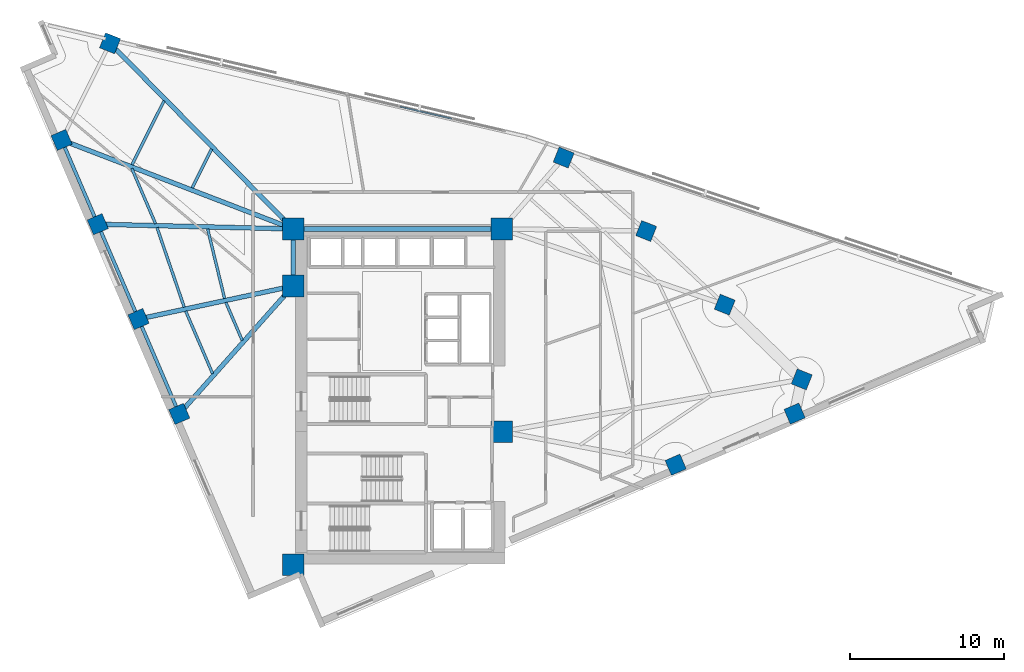
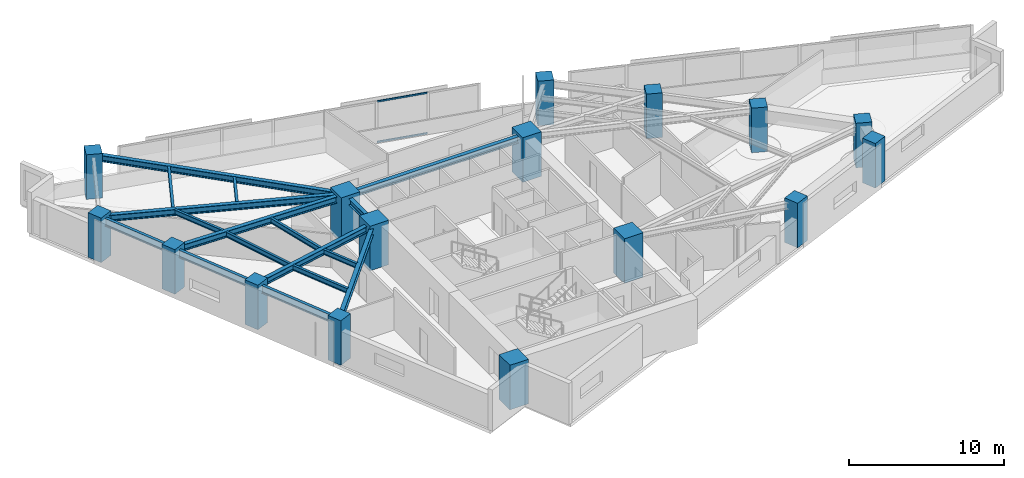
# One storey, part 1 of 14: 17 beams, 16 columns, 2 members, 1 element without a shape of its own.
"""IFC4 building model written with IfcOpenShell, lengths in metres."""

from ifc_helpers import new_model, si_unit, direction, frame, origin, origin_2d, place, context, subcontext, project, spatial, rectangle, hollow_rectangle, i_section, extrude, material, material_profile, profile_set, type_object, element, aggregate, save


model = new_model("IFC4")

# Units and contexts
model_context = context("Model", 3, precision=1e-05, world=origin(), true_north=direction((0.0, 1.0)))
body_context = subcontext(model_context, "Body", "Model", "MODEL_VIEW")
ifc_project = project(units=[si_unit("LENGTHUNIT", "METRE"), si_unit("AREAUNIT", "SQUARE_METRE"), si_unit("VOLUMEUNIT", "CUBIC_METRE"), si_unit("PLANEANGLEUNIT", "RADIAN"), si_unit("MASSUNIT", "GRAM", prefix="KILO")], contexts=[model_context])

# Site, building, storey
site_placement = place(None, origin())
site = spatial("IfcSite", under=ifc_project, at=site_placement, CompositionType="ELEMENT")
building_placement = place(site_placement, origin())
building = spatial("IfcBuilding", under=site, at=building_placement, Name="Narakoshi Arena Tower", CompositionType="ELEMENT")
storey_placement = place(building_placement, frame((0.0, 0.0, 182.6201171875)))
storey = spatial("IfcBuildingStorey", under=building, at=storey_placement, Name="L49", CompositionType="ELEMENT", Elevation=182.6201171875)

# Columns
ifc_material_1 = material(Name="Concrete C50/60", Category="concrete")
ifc_material_profile_1 = material_profile(ifc_material_1, rectangle(XDim=1.050048828125, YDim=1.050048828125, at=origin_2d()), Name="RC1050x1050")
ifc_profile_set_1 = profile_set([ifc_material_profile_1], Name="Concrete C50/60")
column_type_1 = type_object("IfcColumnType", Name="COL-RC1050", PredefinedType="COLUMN", material=ifc_profile_set_1)
for number, where, z_axis, x_axis, name in (
    (1, (96.830078125, 41.2001953125, 0.0), (0.0, 0.0, 1.0), (0.918791210149, 0.394743856384, 0.0), "L49 Tower Perimeter Column TC02"),
    (2, (104.54931640625, 44.5166015625, 0.0), (0.0, 0.0, 1.0), (0.918791210149, 0.394743856384, 0.0), "L49 Tower Perimeter Column TC03"),
    (3, (105.010009765625, 46.73876953125, 0.0), (0.0, 0.0, 1.0), (0.37055743751, 0.928809552872, 0.0), "L49 Tower Perimeter Column TC05"),
    (4, (100.012939453125, 51.58544921875, 0.0), (0.0, 0.0, 1.0), (0.37055743751, 0.928809552872, 0.0), "L49 Tower Perimeter Column TC06"),
    (5, (94.914794921875, 56.36669921875, 0.0), (0.0, 0.0, 1.0), (0.37055743751, 0.928809552872, 0.0), "L49 Tower Perimeter Column TC07"),
    (6, (89.5615234375, 61.134765625, 0.0), (0.0, 0.0, 1.0), (0.37055743751, 0.928809552872, 0.0), "L49 Tower Perimeter Column TC08"),
    (7, (60.12158203125, 68.55126953125, 0.0), (0.0, 0.0, 1.0), (0.37055743751, 0.928809552872, 0.0), "L49 Tower Perimeter Column TC10"),
    (8, (56.9755859375, 62.278564453125, 0.0), (0.0, 0.0, 1.0), (-0.394743856384, 0.918791210149, 0.0), "L49 Tower Perimeter Column TC13"),
    (9, (59.326171875, 56.807373046875, 0.0), (0.0, 0.0, 1.0), (-0.394743856384, 0.918791210149, 0.0), "L49 Tower Perimeter Column TC14"),
    (10, (61.970458984375, 50.652587890625, 0.0), (0.0, 0.0, 1.0), (-0.394743856384, 0.918791210149, 0.0), "L49 Tower Perimeter Column TC15"),
    (11, (64.61474609375, 44.49755859375, 0.0), (0.0, 0.0, 1.0), (-0.394743856384, 0.918791210149, 0.0), "L49 Tower Perimeter Column TC16"),
):
    element("IfcColumn", number, at=place(storey_placement, frame(where, z_axis=z_axis, x_axis=x_axis)), inside=storey, type_object=column_type_1, Name=name, PredefinedType="COLUMN", context=body_context, shape_type="SweptSolid", body=[
        extrude(rectangle(XDim=1.050048828125, YDim=1.050048828125, at=origin_2d()), origin(), (0.0, 0.0, 1.0), 3.519775390625),
    ])
ifc_material_2 = material(Name="Concrete C60/75", Category="concrete")
ifc_material_profile_2 = material_profile(ifc_material_2, rectangle(XDim=1.39990234375, YDim=1.39990234375, at=origin_2d()), Name="RC1400x1400")
ifc_profile_set_2 = profile_set([ifc_material_profile_2], Name="Concrete C60/75")
column_type_2 = type_object("IfcColumnType", Name="COL-RC1400", PredefinedType="COLUMN", material=ifc_profile_set_2)
for number, where, z_axis, x_axis, name in (
    (12, (72.0, 34.699951171875, 0.0), (0.0, 0.0, 1.0), (1.0, 0.0, 0.0), "L49 Core Structural Column CC1"),
    (13, (85.550048828125, 43.35009765625, 0.0), (0.0, 0.0, 1.0), (1.0, 0.0, 0.0), "L49 Core Structural Column CC3"),
    (14, (72.0, 52.800048828125, 0.0), (0.0, 0.0, 1.0), (1.0, 0.0, 0.0), "L49 Core Structural Column CC4"),
    (15, (72.0, 56.5, 0.0), (0.0, 0.0, 1.0), (1.0, 0.0, 0.0), "L49 Core Structural Column CC5"),
    (16, (85.550048828125, 56.5, 0.0), (0.0, 0.0, 1.0), (1.0, 0.0, 0.0), "L49 Core Structural Column CC6"),
):
    element("IfcColumn", number, at=place(storey_placement, frame(where, z_axis=z_axis, x_axis=x_axis)), inside=storey, type_object=column_type_2, Name=name, PredefinedType="COLUMN", context=body_context, shape_type="SweptSolid", body=[
        extrude(rectangle(XDim=1.39990234375, YDim=1.39990234375, at=origin_2d()), origin(), (0.0, 0.0, 1.0), 3.519775390625),
    ])

# Beams
ifc_material_3 = material(Name="Structural steel S355J2", Category="steel")
ifc_material_profile_3 = material_profile(ifc_material_3, i_section(OverallWidth=0.219970703125, OverallDepth=0.60009765625, WebThickness=0.011962890625, FlangeThickness=0.01904296875, FilletRadius=0.02392578125, at=origin_2d()), Name="IPE600")
ifc_profile_set_3 = profile_set([ifc_material_profile_3], Name="Structural steel S355J2")
beam_type_1 = type_object("IfcBeamType", Name="BM-EDGE-600", PredefinedType="BEAM", material=ifc_profile_set_3)
beam_1_placement = place(storey_placement, frame((56.9755859375, 62.278564453125, 2.9599609375), z_axis=(0.394740539552, -0.918792635165, 0.0), x_axis=(0.918792635165, 0.394740539552, 0.0)))
element("IfcBeam", 17, at=beam_1_placement, inside=storey, type_object=beam_type_1, Name="L49 Perimeter Edge Girder 08", PredefinedType="BEAM", context=body_context, shape_type="SweptSolid", body=[
    extrude(i_section(OverallWidth=0.219970703125, OverallDepth=0.60009765625, WebThickness=0.011962890625, FlangeThickness=0.01904296875, FilletRadius=0.02392578125, at=origin_2d()), origin(), (0.0, 0.0, 1.0), 5.954833984375),
])
beam_2_placement = place(storey_placement, frame((59.326171875, 56.807373046875, 2.9599609375), z_axis=(0.394741679056, -0.9187921456, 0.0), x_axis=(0.9187921456, 0.394741679056, 0.0)))
element("IfcBeam", 18, at=beam_2_placement, inside=storey, type_object=beam_type_1, Name="L49 Perimeter Edge Girder 09", PredefinedType="BEAM", context=body_context, shape_type="SweptSolid", body=[
    extrude(i_section(OverallWidth=0.219970703125, OverallDepth=0.60009765625, WebThickness=0.011962890625, FlangeThickness=0.01904296875, FilletRadius=0.02392578125, at=origin_2d()), origin(), (0.0, 0.0, 1.0), 6.69873046875),
])
beam_3_placement = place(storey_placement, frame((61.970458984375, 50.652587890625, 2.9599609375), z_axis=(0.394728461185, -0.918797824296, 0.0), x_axis=(0.918797824296, 0.394728461185, 0.0)))
element("IfcBeam", 19, at=beam_3_placement, inside=storey, type_object=beam_type_1, Name="L49 Perimeter Edge Girder 10", PredefinedType="BEAM", context=body_context, shape_type="SweptSolid", body=[
    extrude(i_section(OverallWidth=0.219970703125, OverallDepth=0.60009765625, WebThickness=0.011962890625, FlangeThickness=0.01904296875, FilletRadius=0.02392578125, at=origin_2d()), origin(), (0.0, 0.0, 1.0), 6.698974609375),
])
ifc_material_profile_4 = material_profile(ifc_material_3, i_section(OverallWidth=0.300048828125, OverallDepth=0.5, WebThickness=0.014404296875, FlangeThickness=0.028076171875, FilletRadius=0.027099609375, at=origin_2d()), Name="HE500B")
ifc_profile_set_4 = profile_set([ifc_material_profile_4], Name="Structural steel S355J2")
beam_type_2 = type_object("IfcBeamType", Name="BM-PRI-500", PredefinedType="BEAM", material=ifc_profile_set_4)
beam_4_placement = place(storey_placement, frame((72.0, 56.5, 3.009765625), z_axis=(-0.701980816252, 0.71219585341, 0.0), x_axis=(-0.71219585341, -0.701980816252, 0.0)))
element("IfcBeam", 20, at=beam_4_placement, inside=storey, type_object=beam_type_2, Name="L49 Radial Primary Floor Girder 07", PredefinedType="BEAM", context=body_context, shape_type="SweptSolid", body=[
    extrude(i_section(OverallWidth=0.300048828125, OverallDepth=0.5, WebThickness=0.014404296875, FlangeThickness=0.028076171875, FilletRadius=0.027099609375, at=origin_2d()), origin(), (0.0, 0.0, 1.0), 16.92138671875),
])
beam_5_placement = place(storey_placement, frame((72.0, 56.5, 3.009765625), z_axis=(-0.933346778866, 0.35897603037, 0.0), x_axis=(-0.35897603037, -0.933346778866, 0.0)))
element("IfcBeam", 21, at=beam_5_placement, inside=storey, type_object=beam_type_2, Name="L49 Radial Primary Floor Girder 08", PredefinedType="BEAM", context=body_context, shape_type="SweptSolid", body=[
    extrude(i_section(OverallWidth=0.300048828125, OverallDepth=0.5, WebThickness=0.014404296875, FlangeThickness=0.028076171875, FilletRadius=0.027099609375, at=origin_2d()), origin(), (0.0, 0.0, 1.0), 16.097412109375),
])
beam_6_placement = place(storey_placement, frame((72.0, 56.5, 3.009765625), z_axis=(-0.999706035824, 0.024245451901, 0.0), x_axis=(-0.024245451901, -0.999706035824, 0.0)))
element("IfcBeam", 22, at=beam_6_placement, inside=storey, type_object=beam_type_2, Name="L49 Radial Primary Floor Girder 09", PredefinedType="BEAM", context=body_context, shape_type="SweptSolid", body=[
    extrude(i_section(OverallWidth=0.300048828125, OverallDepth=0.5, WebThickness=0.014404296875, FlangeThickness=0.028076171875, FilletRadius=0.027099609375, at=origin_2d()), origin(), (0.0, 0.0, 1.0), 12.677490234375),
])
beam_7_placement = place(storey_placement, frame((72.0, 52.800048828125, 3.009765625), z_axis=(-0.977836885657, -0.209368156721, 0.0), x_axis=(0.209368156721, -0.977836885657, 0.0)))
element("IfcBeam", 23, at=beam_7_placement, inside=storey, type_object=beam_type_2, Name="L49 Radial Primary Floor Girder 10", PredefinedType="BEAM", context=body_context, shape_type="SweptSolid", body=[
    extrude(i_section(OverallWidth=0.300048828125, OverallDepth=0.5, WebThickness=0.014404296875, FlangeThickness=0.028076171875, FilletRadius=0.027099609375, at=origin_2d()), origin(), (0.0, 0.0, 1.0), 10.2568359375),
])
beam_8_placement = place(storey_placement, frame((72.0, 52.800048828125, 3.009765625), z_axis=(-0.664628360587, -0.747174104412, 0.0), x_axis=(0.747174104412, -0.664628360587, 0.0)))
element("IfcBeam", 24, at=beam_8_placement, inside=storey, type_object=beam_type_2, Name="L49 Radial Primary Floor Girder 11", PredefinedType="BEAM", context=body_context, shape_type="SweptSolid", body=[
    extrude(i_section(OverallWidth=0.300048828125, OverallDepth=0.5, WebThickness=0.014404296875, FlangeThickness=0.028076171875, FilletRadius=0.027099609375, at=origin_2d()), origin(), (0.0, 0.0, 1.0), 11.11181640625),
])
beam_9_placement = place(storey_placement, frame((72.0, 52.800048828125, 3.009765625), z_axis=(0.0, 1.0, 0.0), x_axis=(-1.0, 0.0, 0.0)))
element("IfcBeam", 25, at=beam_9_placement, inside=storey, type_object=beam_type_2, Name="L49 Core Perimeter Frame Beam CC4-CC5", PredefinedType="BEAM", context=body_context, shape_type="SweptSolid", body=[
    extrude(i_section(OverallWidth=0.300048828125, OverallDepth=0.5, WebThickness=0.014404296875, FlangeThickness=0.028076171875, FilletRadius=0.027099609375, at=origin_2d()), origin(), (0.0, 0.0, 1.0), 3.699951171875),
])
beam_10_placement = place(storey_placement, frame((72.0, 56.5, 3.009765625), z_axis=(1.0, 0.0, 0.0), x_axis=(0.0, 1.0, 0.0)))
element("IfcBeam", 26, at=beam_10_placement, inside=storey, type_object=beam_type_2, Name="L49 Core Perimeter Frame Beam CC5-CC6", PredefinedType="BEAM", context=body_context, shape_type="SweptSolid", body=[
    extrude(i_section(OverallWidth=0.300048828125, OverallDepth=0.5, WebThickness=0.014404296875, FlangeThickness=0.028076171875, FilletRadius=0.027099609375, at=origin_2d()), origin(), (0.0, 0.0, 1.0), 13.550048828125),
])
ifc_material_profile_5 = material_profile(ifc_material_3, i_section(OverallWidth=0.179931640625, OverallDepth=0.39990234375, WebThickness=0.008544921875, FlangeThickness=0.013427734375, FilletRadius=0.02099609375, at=origin_2d()), Name="IPE400")
ifc_profile_set_5 = profile_set([ifc_material_profile_5], Name="Structural steel S355J2")
beam_type_3 = type_object("IfcBeamType", Name="BM-SEC-400", PredefinedType="JOIST", material=ifc_profile_set_5)
beam_11_placement = place(storey_placement, frame((66.712890625, 61.681884765625, 3.059814453125), z_axis=(-0.4482876383, -0.893889363035, 0.0), x_axis=(0.893889363035, -0.4482876383, 0.0)))
element("IfcBeam", 27, at=beam_11_placement, inside=storey, type_object=beam_type_3, Name="L49 Composite Secondary Floor Joist 09", PredefinedType="JOIST", context=body_context, shape_type="SweptSolid", body=[
    extrude(i_section(OverallWidth=0.179931640625, OverallDepth=0.39990234375, WebThickness=0.008544921875, FlangeThickness=0.013427734375, FilletRadius=0.02099609375, at=origin_2d()), origin(), (0.0, 0.0, 1.0), 2.81787109375),
])
beam_12_placement = place(storey_placement, frame((63.624755859375, 64.815185546875, 3.059814453125), z_axis=(-0.448328152094, -0.893869044122, 0.0), x_axis=(0.893869044122, -0.448328152094, 0.0)))
element("IfcBeam", 28, at=beam_12_placement, inside=storey, type_object=beam_type_3, Name="L49 Composite Secondary Floor Joist 10", PredefinedType="JOIST", context=body_context, shape_type="SweptSolid", body=[
    extrude(i_section(OverallWidth=0.179931640625, OverallDepth=0.39990234375, WebThickness=0.008544921875, FlangeThickness=0.013427734375, FilletRadius=0.02099609375, at=origin_2d()), origin(), (0.0, 0.0, 1.0), 4.642333984375),
])
beam_13_placement = place(storey_placement, frame((61.5361328125, 60.4208984375, 3.059814453125), z_axis=(0.394735448543, -0.918794822397, 0.0), x_axis=(0.918794822397, 0.394735448543, 0.0)))
element("IfcBeam", 29, at=beam_13_placement, inside=storey, type_object=beam_type_3, Name="L49 Composite Secondary Floor Joist 11", PredefinedType="JOIST", context=body_context, shape_type="SweptSolid", body=[
    extrude(i_section(OverallWidth=0.179931640625, OverallDepth=0.39990234375, WebThickness=0.008544921875, FlangeThickness=0.013427734375, FilletRadius=0.02099609375, at=origin_2d()), origin(), (0.0, 0.0, 1.0), 3.8984375),
])
beam_14_placement = place(storey_placement, frame((66.455322265625, 56.504150390625, 3.059814453125), z_axis=(0.236539147599, -0.971621959228, 0.0), x_axis=(0.971621959228, 0.236539147599, 0.0)))
element("IfcBeam", 30, at=beam_14_placement, inside=storey, type_object=beam_type_3, Name="L49 Composite Secondary Floor Joist 12", PredefinedType="JOIST", context=body_context, shape_type="SweptSolid", body=[
    extrude(i_section(OverallWidth=0.179931640625, OverallDepth=0.39990234375, WebThickness=0.008544921875, FlangeThickness=0.013427734375, FilletRadius=0.02099609375, at=origin_2d()), origin(), (0.0, 0.0, 1.0), 4.649658203125),
])
beam_15_placement = place(storey_placement, frame((63.171875, 56.58740234375, 3.059814453125), z_axis=(0.323307083537, -0.946294103191, 0.0), x_axis=(0.946294103191, 0.323307083537, 0.0)))
element("IfcBeam", 31, at=beam_15_placement, inside=storey, type_object=beam_type_3, Name="L49 Composite Secondary Floor Joist 13", PredefinedType="JOIST", context=body_context, shape_type="SweptSolid", body=[
    extrude(i_section(OverallWidth=0.179931640625, OverallDepth=0.39990234375, WebThickness=0.008544921875, FlangeThickness=0.013427734375, FilletRadius=0.02099609375, at=origin_2d()), origin(), (0.0, 0.0, 1.0), 5.455810546875),
])
beam_16_placement = place(storey_placement, frame((67.640380859375, 51.731201171875, 3.059814453125), z_axis=(0.394711461419, -0.918805127448, 0.0), x_axis=(0.918805127448, 0.394711461419, 0.0)))
element("IfcBeam", 32, at=beam_16_placement, inside=storey, type_object=beam_type_3, Name="L49 Composite Secondary Floor Joist 14", PredefinedType="JOIST", context=body_context, shape_type="SweptSolid", body=[
    extrude(i_section(OverallWidth=0.179931640625, OverallDepth=0.39990234375, WebThickness=0.008544921875, FlangeThickness=0.013427734375, FilletRadius=0.02099609375, at=origin_2d()), origin(), (0.0, 0.0, 1.0), 2.677734375),
])
beam_17_placement = place(storey_placement, frame((65.03271484375, 51.172607421875, 3.059814453125), z_axis=(0.39473259388, -0.918796048821, 0.0), x_axis=(0.918796048821, 0.39473259388, 0.0)))
element("IfcBeam", 33, at=beam_17_placement, inside=storey, type_object=beam_type_3, Name="L49 Composite Secondary Floor Joist 15", PredefinedType="JOIST", context=body_context, shape_type="SweptSolid", body=[
    extrude(i_section(OverallWidth=0.179931640625, OverallDepth=0.39990234375, WebThickness=0.008544921875, FlangeThickness=0.013427734375, FilletRadius=0.02099609375, at=origin_2d()), origin(), (0.0, 0.0, 1.0), 4.419189453125),
])

# Curtain wall, members
ifc_material_4 = material(Name="Anodised bronze aluminium 6063-T6", Category="aluminium")
curtain_wall_type = type_object("IfcCurtainWallType", Name="CW-HYP-MID", PredefinedType="NOTDEFINED", material=ifc_material_4)
curtain_wall_placement = place(storey_placement, origin())
curtain_wall = element("IfcCurtainWall", 34, at=curtain_wall_placement, inside=storey, type_object=curtain_wall_type, Name="L49 Folded Hypotenuse Curtain Wall 2-1", PredefinedType="NOTDEFINED")
ifc_material_profile_6 = material_profile(ifc_material_4, hollow_rectangle(XDim=0.06494140625, YDim=0.1298828125, WallThickness=0.00390625, OuterFilletRadius=0.0048828125, at=origin_2d()), Name="TRN130x65x4")
ifc_profile_set_6 = profile_set([ifc_material_profile_6], Name="Anodised bronze aluminium 6063-T6")
member_type = type_object("IfcMemberType", Name="MEM-TRN-130", PredefinedType="USERDEFINED", material=ifc_profile_set_6)
member_1_placement = place(storey_placement, frame((82.27587890625, 63.6611328125, 0.032470703125), z_axis=(-0.973960713384, 0.226716847155, 0.0), x_axis=(-0.226716847155, -0.973960713384, 0.0)))
member_1 = element("IfcMember", 35, at=member_1_placement, type_object=member_type, Name="CW-02 transom 2.1", ObjectType="TRANSOM", PredefinedType="USERDEFINED", context=body_context, shape_type="SweptSolid", body=[
    extrude(hollow_rectangle(XDim=0.06494140625, YDim=0.1298828125, WallThickness=0.00390625, OuterFilletRadius=0.0048828125, at=origin_2d()), origin(), (0.0, 0.0, 1.0), 3.416748046875),
])
member_2_placement = place(storey_placement, frame((82.27587890625, 63.6611328125, 3.227294921875), z_axis=(-0.973960713384, 0.226716847155, 0.0), x_axis=(-0.226716847155, -0.973960713384, 0.0)))
member_2 = element("IfcMember", 36, at=member_2_placement, type_object=member_type, Name="CW-02 transom 2.2", ObjectType="TRANSOM", PredefinedType="USERDEFINED", context=body_context, shape_type="SweptSolid", body=[
    extrude(hollow_rectangle(XDim=0.06494140625, YDim=0.1298828125, WallThickness=0.00390625, OuterFilletRadius=0.0048828125, at=origin_2d()), origin(), (0.0, 0.0, 1.0), 3.416748046875),
])
aggregate(curtain_wall, [member_1, member_2])

save(model, "model.ifc")
